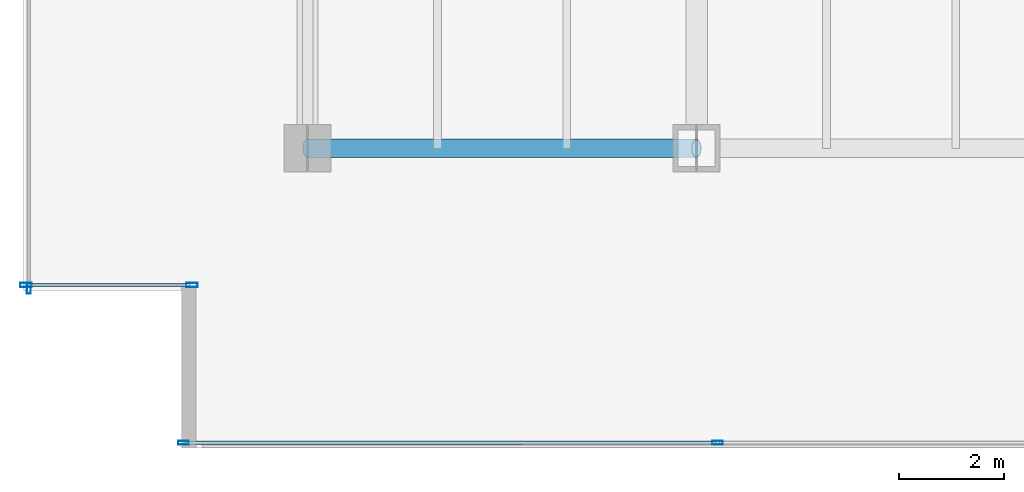
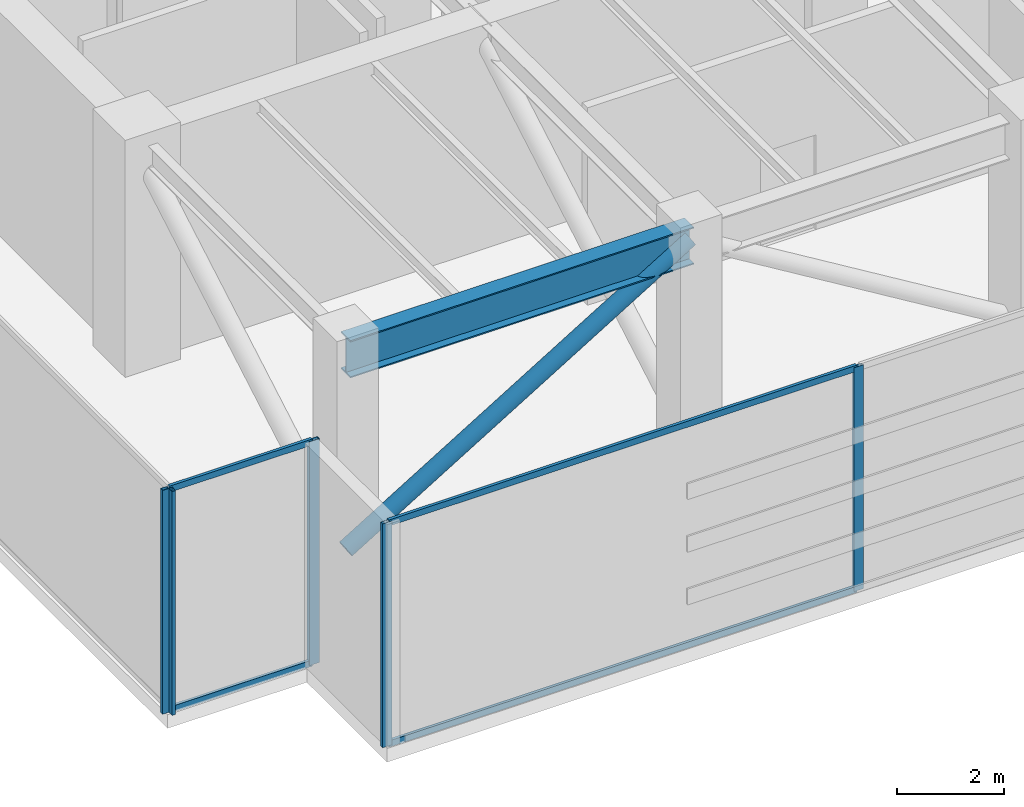
# One storey, part 2 of 34: 10 members, 1 beam, 3 elements without a shape of their own.
"""IFC4 building model written with IfcOpenShell, lengths in metres."""

from ifc_helpers import new_model, si_unit, direction, frame, origin, origin_2d, place, context, subcontext, project, spatial, hollow_rectangle, hollow_circle, i_section, extrude, source, transform, mapped, material, layer, layer_set, material_profile, profile_set, type_object, type_shapes, element, aggregate, save


model = new_model("IFC4")

# Units and contexts
model_context = context("Model", 3, precision=1e-05, world=origin(), true_north=direction((0.0, 1.0)))
body_context = subcontext(model_context, "Body", "Model", "MODEL_VIEW")
ifc_project = project(units=[si_unit("LENGTHUNIT", "METRE"), si_unit("AREAUNIT", "SQUARE_METRE"), si_unit("VOLUMEUNIT", "CUBIC_METRE"), si_unit("PLANEANGLEUNIT", "RADIAN"), si_unit("MASSUNIT", "GRAM", prefix="KILO")], contexts=[model_context])

# Site, building, storey
site_placement = place(None, origin())
site = spatial("IfcSite", under=ifc_project, at=site_placement, CompositionType="ELEMENT")
building_placement = place(site_placement, origin())
building = spatial("IfcBuilding", under=site, at=building_placement, Name="Haelvirn Gate Laboratories", CompositionType="ELEMENT")
storey_placement = place(building_placement, frame((0.0, 0.0, 191.199951171875)))
storey = spatial("IfcBuildingStorey", under=building, at=storey_placement, Name="L46", CompositionType="ELEMENT", Elevation=191.199951171875)

# Beam
ifc_material_1 = material(Name="Steel SM420", Category="steel")
ifc_material_profile_1 = material_profile(ifc_material_1, i_section(OverallWidth=0.35009765625, OverallDepth=0.85009765625, WebThickness=0.01611328125, FlangeThickness=0.028076171875, at=origin_2d()), Name="H-850x350x16x28")
ifc_profile_set_1 = profile_set([ifc_material_profile_1], Name="Steel SM420")
beam_type = type_object("IfcBeamType", Name="BM-AG-850", PredefinedType="BEAM", material=ifc_profile_set_1)
shared_shape_1 = source(origin(), body_context, "Body", "SweptSolid", [
    extrude(i_section(OverallWidth=0.35009765625, OverallDepth=0.85009765625, WebThickness=0.01611328125, FlangeThickness=0.028076171875, at=origin_2d()), origin(), (0.0, 0.0, 1.0), 7.400146484375),
])
type_shapes(beam_type, [shared_shape_1])
beam_placement = place(storey_placement, frame((7.39990234375, 7.0, 4.675048828125), z_axis=(1.0, 0.0, 0.0), x_axis=(0.0, 1.0, 0.0)))
element("IfcBeam", 1, at=beam_placement, inside=storey, type_object=beam_type, Name="L46 Primary Girder Y7.0 (7.4-14.8)", PredefinedType="BEAM", context=body_context, shape_type="MappedRepresentation", body=[
    mapped(shared_shape_1, transform((0.0, 0.0, 0.0), scale=1.0)),
])

# Member
ifc_material_2 = material(Name="Steel SM355", Category="steel")
ifc_material_profile_2 = material_profile(ifc_material_2, hollow_circle(Radius=0.177734375, WallThickness=0.013916015625, at=origin_2d()), Name="CHS-355x14")
ifc_profile_set_2 = profile_set([ifc_material_profile_2], Name="Steel SM355")
member_type_1 = type_object("IfcMemberType", Name="MEM-BELT-1", PredefinedType="STRUT", material=ifc_profile_set_2)
shared_shape_2 = source(origin(), body_context, "Body", "SweptSolid", [
    extrude(hollow_circle(Radius=0.177734375, WallThickness=0.013916015625, at=origin_2d()), origin(), (0.0, 0.0, 1.0), 8.660888671875),
])
type_shapes(member_type_1, [shared_shape_2])
member_1_placement = place(storey_placement, frame((7.39990234375, 7.0, 0.25), z_axis=(0.854426004789, 0.0, 0.519573096244), x_axis=(0.0, 1.0, 0.0)))
element("IfcMember", 2, at=member_1_placement, inside=storey, type_object=member_type_1, Name="L46 Perimeter Belt Truss S1", PredefinedType="STRUT", context=body_context, shape_type="MappedRepresentation", body=[
    mapped(shared_shape_2, transform((0.0, 0.0, 0.0), scale=1.0)),
])

# Curtain wall, members
ifc_material_3 = material(Name="Anodised bronze unitised aluminium & triple low-E glass", Category="aluminium")
ifc_layer_1 = layer(ifc_material_3, 0.179931640625, Name="CW-SYS-3")
ifc_layer_set_1 = layer_set([ifc_layer_1], Name="Anodised bronze unitised aluminium & triple low-E glass")
curtain_wall_type_1 = type_object("IfcCurtainWallType", Name="CW-SYS-3", PredefinedType="NOTDEFINED", material=ifc_layer_set_1)
curtain_wall_1_placement = place(storey_placement, origin())
curtain_wall_1 = element("IfcCurtainWall", 3, at=curtain_wall_1_placement, inside=storey, type_object=curtain_wall_type_1, Name="L46 Unitised Curtain Wall CW-L46-P0-E00-1", PredefinedType="NOTDEFINED")
ifc_material_4 = material(Name="Extruded aluminium 6063-T6 (anodised bronze)", Category="aluminium")
ifc_material_profile_3 = material_profile(ifc_material_4, hollow_rectangle(XDim=0.06494140625, YDim=0.139892578125, WallThickness=0.00390625, at=origin_2d()), Name="CWT-140x65x4")
ifc_profile_set_3 = profile_set([ifc_material_profile_3], Name="Extruded aluminium 6063-T6 (anodised bronze)")
member_type_2 = type_object("IfcMemberType", Name="CWT-T140", PredefinedType="USERDEFINED", material=ifc_profile_set_3)
shared_shape_3 = source(origin(), body_context, "Body", "SweptSolid", [
    extrude(hollow_rectangle(XDim=0.06494140625, YDim=0.139892578125, WallThickness=0.00390625, at=origin_2d()), origin(), (0.0, 0.0, 1.0), 10.087646484375),
])
member_2_placement = place(storey_placement, frame((5.074951171875, 1.39990234375, 0.032470703125), z_axis=(1.0, 0.0, 0.0), x_axis=(0.0, 1.0, 0.0)))
member_2 = element("IfcMember", 4, at=member_2_placement, type_object=member_type_2, Name="CW3 transom 1.1", ObjectType="TRANSOM", PredefinedType="USERDEFINED", context=body_context, shape_type="MappedRepresentation", body=[
    mapped(shared_shape_3, transform((0.0, 0.0, 0.0), scale=1.0)),
])
member_3_placement = place(storey_placement, frame((5.074951171875, 1.39990234375, 5.067626953125), z_axis=(1.0, 0.0, 0.0), x_axis=(0.0, 1.0, 0.0)))
member_3 = element("IfcMember", 5, at=member_3_placement, type_object=member_type_2, Name="CW3 transom 1.2", ObjectType="TRANSOM", PredefinedType="USERDEFINED", context=body_context, shape_type="MappedRepresentation", body=[
    mapped(shared_shape_3, transform((0.0, 0.0, 0.0), scale=1.0)),
])

ifc_layer_2 = layer(ifc_material_3, 0.181884765625, Name="CW-SYS-5")
ifc_layer_set_2 = layer_set([ifc_layer_2], Name="Anodised bronze unitised aluminium & triple low-E glass")
curtain_wall_type_2 = type_object("IfcCurtainWallType", Name="CW-SYS-5", PredefinedType="NOTDEFINED", material=ifc_layer_set_2)
curtain_wall_2_placement = place(storey_placement, origin())
curtain_wall_2 = element("IfcCurtainWall", 6, at=curtain_wall_2_placement, inside=storey, type_object=curtain_wall_type_2, Name="L46 Unitised Curtain Wall CW-L46-P0-E18-1", PredefinedType="NOTDEFINED")
shared_shape_4 = source(origin(), body_context, "Body", "SweptSolid", [
    extrude(hollow_rectangle(XDim=0.06494140625, YDim=0.139892578125, WallThickness=0.00390625, at=origin_2d()), origin(), (0.0, 0.0, 1.0), 3.079833984375),
])
type_shapes(member_type_2, [shared_shape_3, shared_shape_4])
member_4_placement = place(storey_placement, frame((2.080078125, 4.39990234375, 0.032470703125), z_axis=(1.0, 0.0, 0.0), x_axis=(0.0, 1.0, 0.0)))
member_4 = element("IfcMember", 7, at=member_4_placement, type_object=member_type_2, Name="CW5 transom 1.1", ObjectType="TRANSOM", PredefinedType="USERDEFINED", context=body_context, shape_type="MappedRepresentation", body=[
    mapped(shared_shape_4, transform((0.0, 0.0, 0.0), scale=1.0)),
])
member_5_placement = place(storey_placement, frame((2.080078125, 4.39990234375, 5.067626953125), z_axis=(1.0, 0.0, 0.0), x_axis=(0.0, 1.0, 0.0)))
member_5 = element("IfcMember", 8, at=member_5_placement, type_object=member_type_2, Name="CW5 transom 1.2", ObjectType="TRANSOM", PredefinedType="USERDEFINED", context=body_context, shape_type="MappedRepresentation", body=[
    mapped(shared_shape_4, transform((0.0, 0.0, 0.0), scale=1.0)),
])

# Member
ifc_material_profile_4 = material_profile(ifc_material_4, hollow_rectangle(XDim=0.074951171875, YDim=0.199951171875, WallThickness=0.0048828125, at=origin_2d()), Name="CWM-200x75x5")
ifc_profile_set_4 = profile_set([ifc_material_profile_4], Name="Extruded aluminium 6063-T6 (anodised bronze)")
member_type_3 = type_object("IfcMemberType", Name="CWM-T200", PredefinedType="MULLION", material=ifc_profile_set_4)
shared_shape_5 = source(origin(), body_context, "Body", "SweptSolid", [
    extrude(hollow_rectangle(XDim=0.074951171875, YDim=0.199951171875, WallThickness=0.0048828125, at=origin_2d()), origin(), (0.0, 0.0, 1.0), 5.10009765625),
])
type_shapes(member_type_3, [shared_shape_5])
member_6_placement = place(storey_placement, frame((5.03759765625, 1.39990234375, 0.0), z_axis=(0.0, 0.0, 1.0), x_axis=(0.0, 1.0, 0.0)))
member_6 = element("IfcMember", 9, at=member_6_placement, type_object=member_type_3, Name="CW3 mullion 1", PredefinedType="MULLION", context=body_context, shape_type="MappedRepresentation", body=[
    mapped(shared_shape_5, transform((0.0, 0.0, 0.0), scale=1.0)),
])

member_7_placement = place(storey_placement, frame((15.199951171875, 1.39990234375, 0.0), z_axis=(0.0, 0.0, 1.0), x_axis=(0.0, 1.0, 0.0)))
member_7 = element("IfcMember", 10, at=member_7_placement, type_object=member_type_3, Name="CW3 mullion 2", PredefinedType="MULLION", context=body_context, shape_type="MappedRepresentation", body=[
    mapped(shared_shape_5, transform((0.0, 0.0, 0.0), scale=1.0)),
])

aggregate(curtain_wall_1, [member_6, member_7, member_2, member_3])

# Curtain wall, member
curtain_wall_3_placement = place(storey_placement, origin())
curtain_wall_3 = element("IfcCurtainWall", 11, at=curtain_wall_3_placement, inside=storey, type_object=curtain_wall_type_1, Name="L46 Unitised Curtain Wall CW-L46-P0-E17", PredefinedType="NOTDEFINED")
member_8_placement = place(storey_placement, frame((2.10009765625, 4.33740234375, 0.0), z_axis=(0.0, 0.0, 1.0), x_axis=(1.0, 0.0, 0.0)))
member_8 = element("IfcMember", 12, at=member_8_placement, type_object=member_type_3, Name="CW3 mullion 4", PredefinedType="MULLION", context=body_context, shape_type="MappedRepresentation", body=[
    mapped(shared_shape_5, transform((0.0, 0.0, 0.0), scale=1.0)),
])
aggregate(curtain_wall_3, [member_8])

# Member
ifc_material_profile_5 = material_profile(ifc_material_4, hollow_rectangle(XDim=0.080078125, YDim=0.219970703125, WallThickness=0.006103515625, at=origin_2d()), Name="CWM-220x80x6")
ifc_profile_set_5 = profile_set([ifc_material_profile_5], Name="Extruded aluminium 6063-T6 (anodised bronze)")
member_type_4 = type_object("IfcMemberType", Name="CWM-T220", PredefinedType="MULLION", material=ifc_profile_set_5)
shared_shape_6 = source(origin(), body_context, "Body", "SweptSolid", [
    extrude(hollow_rectangle(XDim=0.080078125, YDim=0.219970703125, WallThickness=0.006103515625, at=origin_2d()), origin(), (0.0, 0.0, 1.0), 5.10009765625),
])
type_shapes(member_type_4, [shared_shape_6])
member_9_placement = place(storey_placement, frame((2.0400390625, 4.39990234375, 0.0), z_axis=(0.0, 0.0, 1.0), x_axis=(0.0, 1.0, 0.0)))
member_9 = element("IfcMember", 13, at=member_9_placement, type_object=member_type_4, Name="CW5 mullion 1", PredefinedType="MULLION", context=body_context, shape_type="MappedRepresentation", body=[
    mapped(shared_shape_6, transform((0.0, 0.0, 0.0), scale=1.0)),
])

member_10_placement = place(storey_placement, frame((5.199951171875, 4.39990234375, 0.0), z_axis=(0.0, 0.0, 1.0), x_axis=(0.0, 1.0, 0.0)))
member_10 = element("IfcMember", 14, at=member_10_placement, type_object=member_type_4, Name="CW5 mullion 2", PredefinedType="MULLION", context=body_context, shape_type="MappedRepresentation", body=[
    mapped(shared_shape_6, transform((0.0, 0.0, 0.0), scale=1.0)),
])

aggregate(curtain_wall_2, [member_9, member_10, member_4, member_5])

save(model, "model.ifc")
